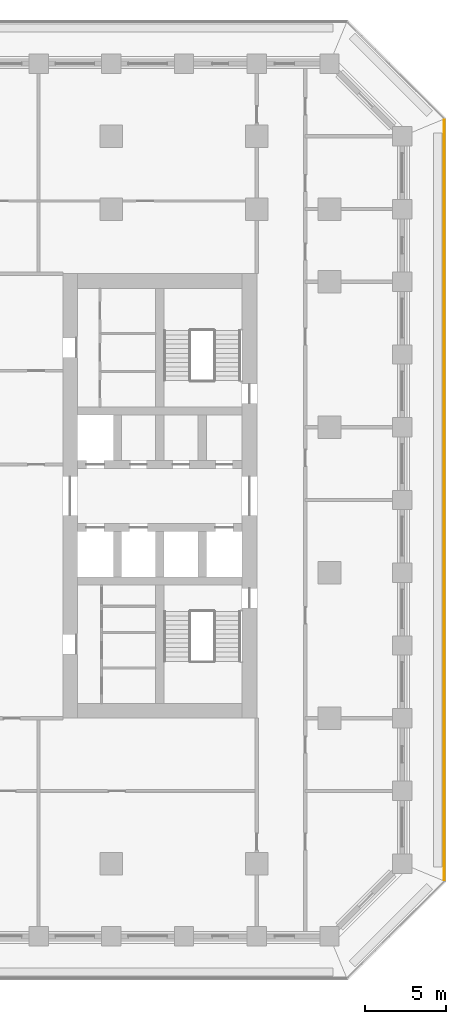
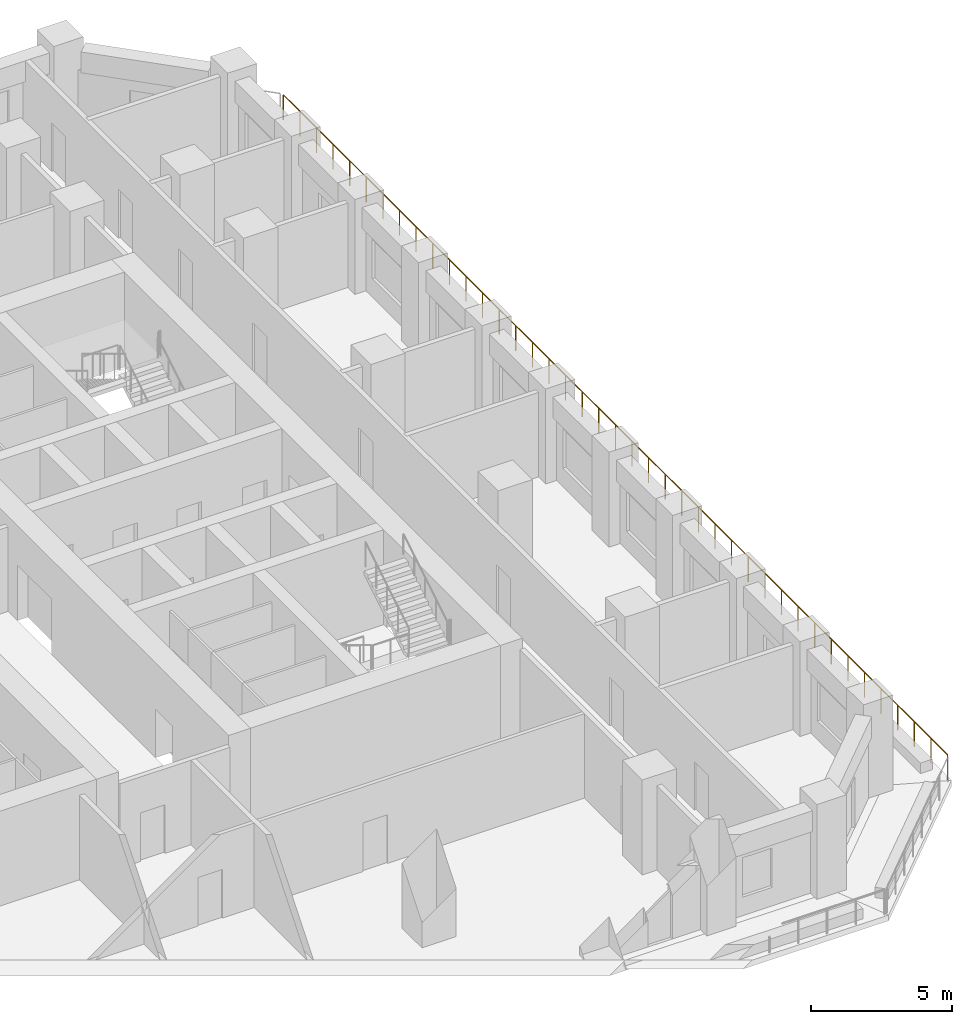
# One storey, part 13 of 17: 1 railing.
"""IFC4 building model written with IfcOpenShell, lengths in metres."""

from ifc_helpers import new_model, si_unit, direction, frame, origin, origin_2d, place, context, subcontext, project, spatial, circle, extrude, material, type_object, element, save


model = new_model("IFC4")

# Units and contexts
model_context = context("Model", 3, precision=1e-05, world=origin(), true_north=direction((0.0, 1.0)))
body_context = subcontext(model_context, "Body", "Model", "MODEL_VIEW")
ifc_project = project(units=[si_unit("LENGTHUNIT", "METRE"), si_unit("AREAUNIT", "SQUARE_METRE"), si_unit("VOLUMEUNIT", "CUBIC_METRE"), si_unit("PLANEANGLEUNIT", "RADIAN"), si_unit("MASSUNIT", "GRAM", prefix="KILO")], contexts=[model_context])

# Site, building, storey
site_placement = place(None, origin())
site = spatial("IfcSite", under=ifc_project, at=site_placement, CompositionType="ELEMENT")
building_placement = place(site_placement, origin())
building = spatial("IfcBuilding", under=site, at=building_placement, Name="Corbel Stack Research Tower", CompositionType="ELEMENT")
storey_placement = place(building_placement, frame((0.0, 0.0, 129.0)))
storey = spatial("IfcBuildingStorey", under=building, at=storey_placement, Name="L29", CompositionType="ELEMENT", Elevation=129.0)

# Railing
ifc_material = material(Name="Powder-coated steel guard", Category="steel")
railing_type = type_object("IfcRailingType", Name="Steel and glass guard 1100", PredefinedType="GUARDRAIL", material=ifc_material)
railing_placement = place(storey_placement, frame((29.60009765625, -19.00537109375, 0.0)))
element("IfcRailing", 1, at=railing_placement, inside=storey, type_object=railing_type, Name="Loggia guard L29 E", PredefinedType="GUARDRAIL", context=body_context, shape_type="SweptSolid", body=[
    extrude(circle(Radius=0.02392578125, at=origin_2d()), frame((0.0, 0.0, 1.076171875), z_axis=(0.0, 1.0, 0.0), x_axis=(-1.0, 0.0, 0.0)), (0.0, 0.0, 1.0), 47.0107421875),
    extrude(circle(Radius=0.02099609375, at=origin_2d()), origin(), (0.0, 0.0, 1.0), 1.052001953125),
    extrude(circle(Radius=0.02099609375, at=origin_2d()), frame((0.0, 1.17529296875, 0.0)), (0.0, 0.0, 1.0), 1.052001953125),
    extrude(circle(Radius=0.02099609375, at=origin_2d()), frame((0.0, 2.3505859375, 0.0)), (0.0, 0.0, 1.0), 1.052001953125),
    extrude(circle(Radius=0.02099609375, at=origin_2d()), frame((0.0, 3.52587890625, 0.0)), (0.0, 0.0, 1.0), 1.052001953125),
    extrude(circle(Radius=0.02099609375, at=origin_2d()), frame((0.0, 4.701171875, 0.0)), (0.0, 0.0, 1.0), 1.052001953125),
    extrude(circle(Radius=0.02099609375, at=origin_2d()), frame((0.0, 5.87646484375, 0.0)), (0.0, 0.0, 1.0), 1.052001953125),
    extrude(circle(Radius=0.02099609375, at=origin_2d()), frame((0.0, 7.051513671875, 0.0)), (0.0, 0.0, 1.0), 1.052001953125),
    extrude(circle(Radius=0.02099609375, at=origin_2d()), frame((0.0, 8.226806640625, 0.0)), (0.0, 0.0, 1.0), 1.052001953125),
    extrude(circle(Radius=0.02099609375, at=origin_2d()), frame((0.0, 9.402099609375, 0.0)), (0.0, 0.0, 1.0), 1.052001953125),
    extrude(circle(Radius=0.02099609375, at=origin_2d()), frame((0.0, 10.577392578125, 0.0)), (0.0, 0.0, 1.0), 1.052001953125),
    extrude(circle(Radius=0.02099609375, at=origin_2d()), frame((0.0, 11.752685546875, 0.0)), (0.0, 0.0, 1.0), 1.052001953125),
    extrude(circle(Radius=0.02099609375, at=origin_2d()), frame((0.0, 12.927978515625, 0.0)), (0.0, 0.0, 1.0), 1.052001953125),
    extrude(circle(Radius=0.02099609375, at=origin_2d()), frame((0.0, 14.103271484375, 0.0)), (0.0, 0.0, 1.0), 1.052001953125),
    extrude(circle(Radius=0.02099609375, at=origin_2d()), frame((0.0, 15.278564453125, 0.0)), (0.0, 0.0, 1.0), 1.052001953125),
    extrude(circle(Radius=0.02099609375, at=origin_2d()), frame((0.0, 16.453857421875, 0.0)), (0.0, 0.0, 1.0), 1.052001953125),
    extrude(circle(Radius=0.02099609375, at=origin_2d()), frame((0.0, 17.62890625, 0.0)), (0.0, 0.0, 1.0), 1.052001953125),
    extrude(circle(Radius=0.02099609375, at=origin_2d()), frame((0.0, 18.80419921875, 0.0)), (0.0, 0.0, 1.0), 1.052001953125),
    extrude(circle(Radius=0.02099609375, at=origin_2d()), frame((0.0, 19.9794921875, 0.0)), (0.0, 0.0, 1.0), 1.052001953125),
    extrude(circle(Radius=0.02099609375, at=origin_2d()), frame((0.0, 21.15478515625, 0.0)), (0.0, 0.0, 1.0), 1.052001953125),
    extrude(circle(Radius=0.02099609375, at=origin_2d()), frame((0.0, 22.330078125, 0.0)), (0.0, 0.0, 1.0), 1.052001953125),
    extrude(circle(Radius=0.02099609375, at=origin_2d()), frame((0.0, 23.50537109375, 0.0)), (0.0, 0.0, 1.0), 1.052001953125),
    extrude(circle(Radius=0.02099609375, at=origin_2d()), frame((0.0, 24.6806640625, 0.0)), (0.0, 0.0, 1.0), 1.052001953125),
    extrude(circle(Radius=0.02099609375, at=origin_2d()), frame((0.0, 25.85595703125, 0.0)), (0.0, 0.0, 1.0), 1.052001953125),
    extrude(circle(Radius=0.02099609375, at=origin_2d()), frame((0.0, 27.03125, 0.0)), (0.0, 0.0, 1.0), 1.052001953125),
    extrude(circle(Radius=0.02099609375, at=origin_2d()), frame((0.0, 28.20654296875, 0.0)), (0.0, 0.0, 1.0), 1.052001953125),
    extrude(circle(Radius=0.02099609375, at=origin_2d()), frame((0.0, 29.3818359375, 0.0)), (0.0, 0.0, 1.0), 1.052001953125),
    extrude(circle(Radius=0.02099609375, at=origin_2d()), frame((0.0, 30.556884765625, 0.0)), (0.0, 0.0, 1.0), 1.052001953125),
    extrude(circle(Radius=0.02099609375, at=origin_2d()), frame((0.0, 31.732177734375, 0.0)), (0.0, 0.0, 1.0), 1.052001953125),
    extrude(circle(Radius=0.02099609375, at=origin_2d()), frame((0.0, 32.907470703125, 0.0)), (0.0, 0.0, 1.0), 1.052001953125),
    extrude(circle(Radius=0.02099609375, at=origin_2d()), frame((0.0, 34.082763671875, 0.0)), (0.0, 0.0, 1.0), 1.052001953125),
    extrude(circle(Radius=0.02099609375, at=origin_2d()), frame((0.0, 35.258056640625, 0.0)), (0.0, 0.0, 1.0), 1.052001953125),
    extrude(circle(Radius=0.02099609375, at=origin_2d()), frame((0.0, 36.433349609375, 0.0)), (0.0, 0.0, 1.0), 1.052001953125),
    extrude(circle(Radius=0.02099609375, at=origin_2d()), frame((0.0, 37.608642578125, 0.0)), (0.0, 0.0, 1.0), 1.052001953125),
    extrude(circle(Radius=0.02099609375, at=origin_2d()), frame((0.0, 38.783935546875, 0.0)), (0.0, 0.0, 1.0), 1.052001953125),
    extrude(circle(Radius=0.02099609375, at=origin_2d()), frame((0.0, 39.959228515625, 0.0)), (0.0, 0.0, 1.0), 1.052001953125),
    extrude(circle(Radius=0.02099609375, at=origin_2d()), frame((0.0, 41.13427734375, 0.0)), (0.0, 0.0, 1.0), 1.052001953125),
    extrude(circle(Radius=0.02099609375, at=origin_2d()), frame((0.0, 42.3095703125, 0.0)), (0.0, 0.0, 1.0), 1.052001953125),
    extrude(circle(Radius=0.02099609375, at=origin_2d()), frame((0.0, 43.48486328125, 0.0)), (0.0, 0.0, 1.0), 1.052001953125),
    extrude(circle(Radius=0.02099609375, at=origin_2d()), frame((0.0, 44.66015625, 0.0)), (0.0, 0.0, 1.0), 1.052001953125),
    extrude(circle(Radius=0.02099609375, at=origin_2d()), frame((0.0, 45.83544921875, 0.0)), (0.0, 0.0, 1.0), 1.052001953125),
    extrude(circle(Radius=0.02099609375, at=origin_2d()), frame((0.0, 47.0107421875, 0.0)), (0.0, 0.0, 1.0), 1.052001953125),
])

save(model, "model.ifc")
